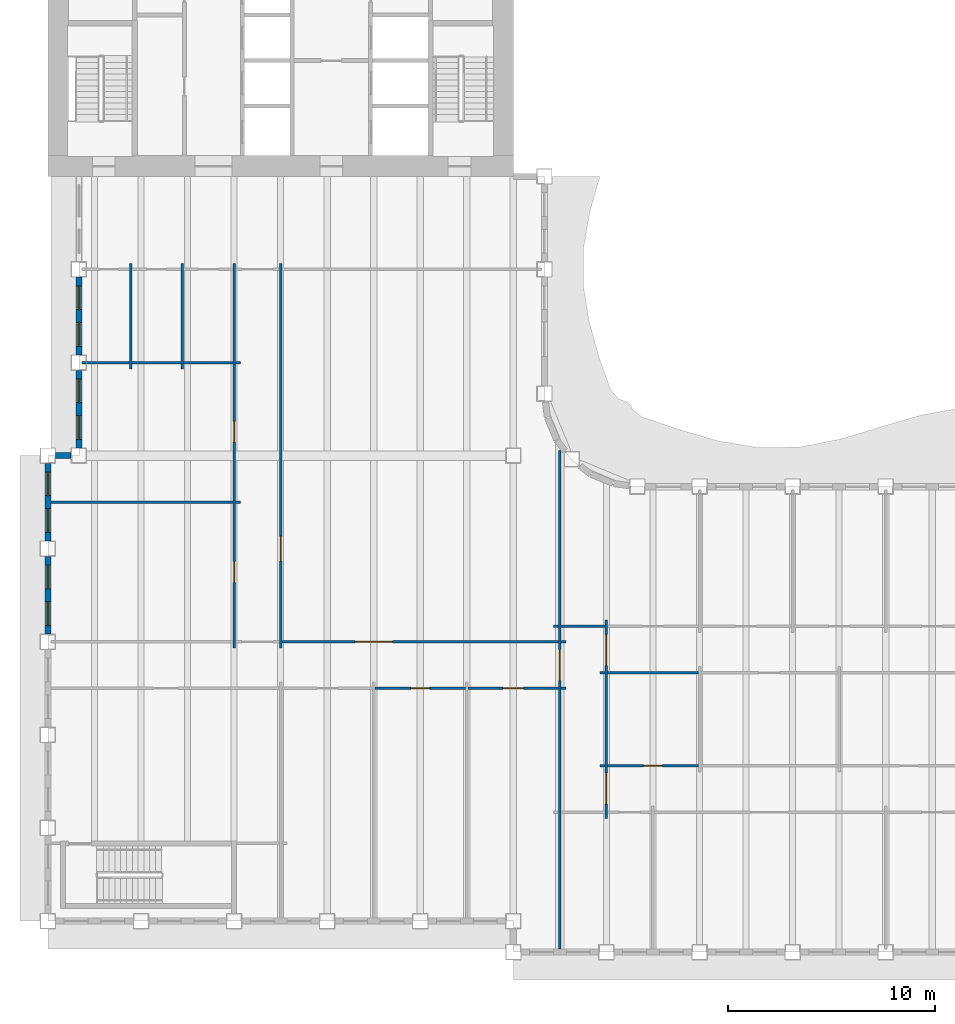
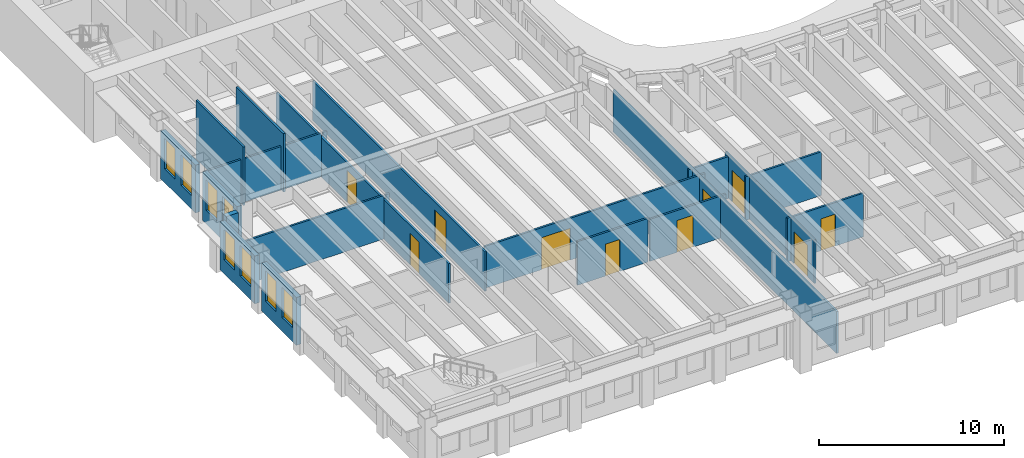
# One storey, part 4 of 16: 28 walls, 10 doors, 8 windows, 18 openings.
"""IFC4 building model written with IfcOpenShell, lengths in metres."""

from ifc_helpers import new_model, si_unit, direction, frame, frame_2d, origin, place, context, subcontext, project, spatial, rectangle, extrude, material, layer, layer_set, type_object, element, fill, save


model = new_model("IFC4")

# Units and contexts
model_context = context("Model", 3, precision=1e-05, world=origin(), true_north=direction((0.0, 1.0)))
body_context = subcontext(model_context, "Body", "Model", "MODEL_VIEW")
ifc_project = project(units=[si_unit("LENGTHUNIT", "METRE"), si_unit("AREAUNIT", "SQUARE_METRE"), si_unit("VOLUMEUNIT", "CUBIC_METRE"), si_unit("PLANEANGLEUNIT", "RADIAN"), si_unit("MASSUNIT", "GRAM", prefix="KILO")], contexts=[model_context])

# Site, building, storey
site_placement = place(None, origin())
site = spatial("IfcSite", under=ifc_project, at=site_placement, CompositionType="ELEMENT")
building_placement = place(site_placement, origin())
building = spatial("IfcBuilding", under=site, at=building_placement, Name="Sennacour Bend Tower", CompositionType="ELEMENT")
storey_placement = place(building_placement, frame((0.0, 0.0, 235.0)))
storey = spatial("IfcBuildingStorey", under=building, at=storey_placement, Name="L54", CompositionType="ELEMENT", Elevation=235.0)

# Walls
ifc_material_1 = material(Name="Plasterboard partition on steel studs", Category="steel")
ifc_layer_1 = layer(ifc_material_1, 0.1201171875, Name="Plasterboard partition on steel studs", Category="steel")
ifc_layer_set_1 = layer_set([ifc_layer_1], Name="Plasterboard partition on steel studs")
wall_type_1 = type_object("IfcWallType", Name="Partition 120", PredefinedType="PARTITIONING", material=ifc_layer_set_1)
for number, where, z_axis, x_axis, name in (
    (1, (4.0, 26.699951171875, 0.0), (0.0, 0.0, 1.0), (0.0, 1.0, 0.0), "P-L54-W004a"),
    (2, (6.5, 26.699951171875, 0.0), (0.0, 0.0, 1.0), (0.0, 1.0, 0.0), "P-L54-W007a"),
):
    element("IfcWall", number, at=place(storey_placement, frame(where, z_axis=z_axis, x_axis=x_axis)), inside=storey, type_object=wall_type_1, Name=name, PredefinedType="PARTITIONING", context=body_context, shape_type="SweptSolid", body=[
        extrude(rectangle(XDim=5.10009765625, YDim=0.1201171875, at=frame_2d((2.550048828125, 0.0))), origin(), (0.0, 0.0, 1.0), 3.85009765625),
    ])

# Wall, openings, doors
wall_1_placement = place(storey_placement, frame((9.0, 13.199951171875, 0.0), z_axis=(0.0, 0.0, 1.0), x_axis=(0.0, 1.0, 0.0)))
wall_1 = element("IfcWall", 3, at=wall_1_placement, inside=storey, type_object=wall_type_1, Name="P-L54-W010a", PredefinedType="PARTITIONING", context=body_context, shape_type="SweptSolid", body=[
    extrude(rectangle(XDim=18.60009765625, YDim=0.1201171875, at=frame_2d((9.300048828125, 0.0))), origin(), (0.0, 0.0, 1.0), 2.60009765625),
])
opening_1_placement = place(wall_1_placement, frame((3.175048828125, 0.0, 0.0)))
opening_1 = element("IfcOpeningElement", 4, at=opening_1_placement, cuts=wall_1, Name="Opening OD2", PredefinedType="OPENING", context=body_context, shape_type="SweptSolid", body=[
    extrude(rectangle(XDim=1.0, YDim=2.10009765625, at=frame_2d((0.5, 1.050048828125))), frame((0.0, 0.070068359375, 0.0), z_axis=(0.0, -1.0, 0.0), x_axis=(1.0, 0.0, 0.0)), (0.0, 0.0, 1.0), 0.14013671875),
])
opening_2_placement = place(wall_1_placement, frame((9.955078125, 0.0, 0.0)))
opening_2 = element("IfcOpeningElement", 5, at=opening_2_placement, cuts=wall_1, Name="Opening OD2", PredefinedType="OPENING", context=body_context, shape_type="SweptSolid", body=[
    extrude(rectangle(XDim=1.0, YDim=2.10009765625, at=frame_2d((0.5, 1.050048828125))), frame((0.0, 0.070068359375, 0.0), z_axis=(0.0, -1.0, 0.0), x_axis=(1.0, 0.0, 0.0)), (0.0, 0.0, 1.0), 0.14013671875),
])
ifc_material_2 = material(Name="Timber", Category="wood")
door_type_1 = type_object("IfcDoorType", Name="DR-OFFICE-1000", OperationType="NOTDEFINED", PredefinedType="DOOR", material=ifc_material_2)
door_1_placement = place(opening_1_placement, origin())
door_1 = element("IfcDoor", 6, at=door_1_placement, inside=storey, type_object=door_type_1, Name="Door", OperationType="SINGLE_SWING_LEFT", OverallHeight=2.10009765625, OverallWidth=1.0, PredefinedType="DOOR", context=body_context, shape_type="SweptSolid", body=[
    extrude(rectangle(XDim=1.0, YDim=2.10009765625, at=frame_2d((0.5, 1.050048828125))), frame((0.0, 0.02490234375, 0.0), z_axis=(0.0, -1.0, 0.0), x_axis=(1.0, 0.0, 0.0)), (0.0, 0.0, 1.0), 0.050048828125),
])
fill(opening_1, door_1)
door_2_placement = place(opening_2_placement, origin())
door_2 = element("IfcDoor", 7, at=door_2_placement, inside=storey, type_object=door_type_1, Name="Door", OperationType="SINGLE_SWING_RIGHT", OverallHeight=2.10009765625, OverallWidth=1.0, PredefinedType="DOOR", context=body_context, shape_type="SweptSolid", body=[
    extrude(rectangle(XDim=1.0, YDim=2.10009765625, at=frame_2d((0.5, 1.050048828125))), frame((0.0, 0.02490234375, 0.0), z_axis=(0.0, -1.0, 0.0), x_axis=(1.0, 0.0, 0.0)), (0.0, 0.0, 1.0), 0.050048828125),
])
fill(opening_2, door_2)

# Wall, opening, door
wall_2_placement = place(storey_placement, frame((11.25, 13.199951171875, 0.0), z_axis=(0.0, 0.0, 1.0), x_axis=(0.0, 1.0, 0.0)))
wall_2 = element("IfcWall", 8, at=wall_2_placement, inside=storey, type_object=wall_type_1, Name="P-L54-W013a", PredefinedType="PARTITIONING", context=body_context, shape_type="SweptSolid", body=[
    extrude(rectangle(XDim=18.60009765625, YDim=0.1201171875, at=frame_2d((9.300048828125, 0.0))), origin(), (0.0, 0.0, 1.0), 2.60009765625),
])
opening_3_placement = place(wall_2_placement, frame((4.199951171875, 0.0, 0.0)))
opening_3 = element("IfcOpeningElement", 9, at=opening_3_placement, cuts=wall_2, Name="Opening OD", PredefinedType="OPENING", context=body_context, shape_type="SweptSolid", body=[
    extrude(rectangle(XDim=1.199951171875, YDim=2.10009765625, at=frame_2d((0.60009765625, 1.050048828125))), frame((0.0, 0.070068359375, 0.0), z_axis=(0.0, -1.0, 0.0), x_axis=(1.0, 0.0, 0.0)), (0.0, 0.0, 1.0), 0.14013671875),
])
door_type_2 = type_object("IfcDoorType", Name="DR-OFFICE-1200", OperationType="NOTDEFINED", PredefinedType="DOOR", material=ifc_material_2)
door_3_placement = place(opening_3_placement, origin())
door_3 = element("IfcDoor", 10, at=door_3_placement, inside=storey, type_object=door_type_2, Name="Door", OperationType="SINGLE_SWING_LEFT", OverallHeight=2.10009765625, OverallWidth=1.199951171875, PredefinedType="DOOR", context=body_context, shape_type="SweptSolid", body=[
    extrude(rectangle(XDim=1.199951171875, YDim=2.10009765625, at=frame_2d((0.60009765625, 1.050048828125))), frame((0.0, 0.02490234375, 0.0), z_axis=(0.0, -1.0, 0.0), x_axis=(1.0, 0.0, 0.0)), (0.0, 0.0, 1.0), 0.050048828125),
])
fill(opening_3, door_3)

# Wall
wall_3_placement = place(storey_placement, frame((26.699951171875, 7.5, 0.0), z_axis=(0.0, 0.0, 1.0), x_axis=(1.0, 0.0, 0.0)))
element("IfcWall", 11, at=wall_3_placement, inside=storey, type_object=wall_type_1, Name="P-L54-W058aa", PredefinedType="PARTITIONING", context=body_context, shape_type="SweptSolid", body=[
    extrude(rectangle(XDim=0.239990234375, YDim=0.1201171875, at=frame_2d((0.1201171875, 0.0))), origin(), (0.0, 0.0, 1.0), 2.8701171875),
])

# Wall, opening, door
wall_4_placement = place(storey_placement, frame((20.31005859375, 11.25, 0.0), z_axis=(0.0, 0.0, 1.0), x_axis=(1.0, 0.0, 0.0)))
wall_4 = element("IfcWall", 12, at=wall_4_placement, inside=storey, type_object=wall_type_1, Name="P-L54-W062ad", PredefinedType="PARTITIONING", context=body_context, shape_type="SweptSolid", body=[
    extrude(rectangle(XDim=4.3798828125, YDim=0.1201171875, at=frame_2d((2.18994140625, 0.0))), origin(), (0.0, 0.0, 1.0), 2.760009765625),
])
opening_4_placement = place(wall_4_placement, frame((1.68994140625, 0.0, 0.0)))
opening_4 = element("IfcOpeningElement", 13, at=opening_4_placement, cuts=wall_4, Name="Opening OD2", PredefinedType="OPENING", context=body_context, shape_type="SweptSolid", body=[
    extrude(rectangle(XDim=1.0, YDim=2.10009765625, at=frame_2d((0.5, 1.050048828125))), frame((0.0, 0.070068359375, 0.0), z_axis=(0.0, -1.0, 0.0), x_axis=(1.0, 0.0, 0.0)), (0.0, 0.0, 1.0), 0.14013671875),
])
door_4_placement = place(opening_4_placement, origin())
door_4 = element("IfcDoor", 14, at=door_4_placement, inside=storey, type_object=door_type_1, Name="Door", OperationType="SINGLE_SWING_LEFT", OverallHeight=2.10009765625, OverallWidth=1.0, PredefinedType="DOOR", context=body_context, shape_type="SweptSolid", body=[
    extrude(rectangle(XDim=1.0, YDim=2.10009765625, at=frame_2d((0.5, 1.050048828125))), frame((0.0, 0.02490234375, 0.0), z_axis=(0.0, -1.0, 0.0), x_axis=(1.0, 0.0, 0.0)), (0.0, 0.0, 1.0), 0.050048828125),
])
fill(opening_4, door_4)

# Walls
wall_5_placement = place(storey_placement, frame((24.81005859375, 11.25, 0.0), z_axis=(0.0, 0.0, 1.0), x_axis=(1.0, 0.0, 0.0)))
element("IfcWall", 15, at=wall_5_placement, inside=storey, type_object=wall_type_1, Name="P-L54-W062ae", PredefinedType="PARTITIONING", context=body_context, shape_type="SweptSolid", body=[
    extrude(rectangle(XDim=0.239990234375, YDim=0.1201171875, at=frame_2d((0.1201171875, 0.0))), origin(), (0.0, 0.0, 1.0), 2.760009765625),
])
wall_6_placement = place(storey_placement, frame((26.699951171875, 12.0, 0.0), z_axis=(0.0, 0.0, 1.0), x_axis=(1.0, 0.0, 0.0)))
element("IfcWall", 16, at=wall_6_placement, inside=storey, type_object=wall_type_1, Name="P-L54-W064aa", PredefinedType="PARTITIONING", context=body_context, shape_type="SweptSolid", body=[
    extrude(rectangle(XDim=0.239990234375, YDim=0.1201171875, at=frame_2d((0.1201171875, 0.0))), origin(), (0.0, 0.0, 1.0), 2.8701171875),
])
wall_7_placement = place(storey_placement, frame((27.06005859375, 12.0, 0.0), z_axis=(0.0, 0.0, 1.0), x_axis=(1.0, 0.0, 0.0)))
element("IfcWall", 17, at=wall_7_placement, inside=storey, type_object=wall_type_1, Name="P-L54-W064ab", PredefinedType="PARTITIONING", context=body_context, shape_type="SweptSolid", body=[
    extrude(rectangle(XDim=4.3798828125, YDim=0.1201171875, at=frame_2d((2.18994140625, 0.0))), origin(), (0.0, 0.0, 1.0), 2.8701171875),
])

# Wall, opening, door
wall_8_placement = place(storey_placement, frame((11.31005859375, 13.5, 0.0), z_axis=(0.0, 0.0, 1.0), x_axis=(1.0, 0.0, 0.0)))
wall_8 = element("IfcWall", 18, at=wall_8_placement, inside=storey, type_object=wall_type_1, Name="P-L54-W065ac", PredefinedType="PARTITIONING", context=body_context, shape_type="SweptSolid", body=[
    extrude(rectangle(XDim=13.3798828125, YDim=0.1201171875, at=frame_2d((6.68994140625, 0.0))), origin(), (0.0, 0.0, 1.0), 2.760009765625),
])
opening_5_placement = place(wall_8_placement, frame((3.539794921875, 0.0, 0.0)))
opening_5 = element("IfcOpeningElement", 19, at=opening_5_placement, cuts=wall_8, Name="Opening OD3", PredefinedType="OPENING", context=body_context, shape_type="SweptSolid", body=[
    extrude(rectangle(XDim=1.800048828125, YDim=2.10009765625, at=frame_2d((0.89990234375, 1.050048828125))), frame((0.0, 0.070068359375, 0.0), z_axis=(0.0, -1.0, 0.0), x_axis=(1.0, 0.0, 0.0)), (0.0, 0.0, 1.0), 0.14013671875),
])
door_type_3 = type_object("IfcDoorType", Name="DR-OFFICE-1800", OperationType="NOTDEFINED", PredefinedType="DOOR", material=ifc_material_2)
door_5_placement = place(opening_5_placement, origin())
door_5 = element("IfcDoor", 20, at=door_5_placement, inside=storey, type_object=door_type_3, Name="Door", OperationType="DOUBLE_DOOR_SINGLE_SWING", OverallHeight=2.10009765625, OverallWidth=1.800048828125, PredefinedType="DOOR", context=body_context, shape_type="SweptSolid", body=[
    extrude(rectangle(XDim=1.800048828125, YDim=2.10009765625, at=frame_2d((0.89990234375, 1.050048828125))), frame((0.0, 0.02490234375, 0.0), z_axis=(0.0, -1.0, 0.0), x_axis=(1.0, 0.0, 0.0)), (0.0, 0.0, 1.0), 0.050048828125),
])
fill(opening_5, door_5)

# Walls
for number, where, z_axis, x_axis, name in (
    (21, (24.81005859375, 13.5, 0.0), (0.0, 0.0, 1.0), (1.0, 0.0, 0.0), "P-L54-W065ad"),
    (22, (24.449951171875, 14.25, 0.0), (0.0, 0.0, 1.0), (1.0, 0.0, 0.0), "P-L54-W066aa"),
):
    element("IfcWall", number, at=place(storey_placement, frame(where, z_axis=z_axis, x_axis=x_axis)), inside=storey, type_object=wall_type_1, Name=name, PredefinedType="PARTITIONING", context=body_context, shape_type="SweptSolid", body=[
        extrude(rectangle(XDim=0.239990234375, YDim=0.1201171875, at=frame_2d((0.1201171875, 0.0))), origin(), (0.0, 0.0, 1.0), 2.760009765625),
    ])
wall_9_placement = place(storey_placement, frame((24.81005859375, 14.25, 0.0), z_axis=(0.0, 0.0, 1.0), x_axis=(1.0, 0.0, 0.0)))
element("IfcWall", 23, at=wall_9_placement, inside=storey, type_object=wall_type_1, Name="P-L54-W066ab", PredefinedType="PARTITIONING", context=body_context, shape_type="SweptSolid", body=[
    extrude(rectangle(XDim=2.1298828125, YDim=0.1201171875, at=frame_2d((1.06494140625, 0.0))), origin(), (0.0, 0.0, 1.0), 2.760009765625),
])
wall_10_placement = place(storey_placement, frame((0.14990234375, 20.25, 0.0), z_axis=(0.0, 0.0, 1.0), x_axis=(1.0, 0.0, 0.0)))
element("IfcWall", 24, at=wall_10_placement, inside=storey, type_object=wall_type_1, Name="P-L54-W072aa", PredefinedType="PARTITIONING", context=body_context, shape_type="SweptSolid", body=[
    extrude(rectangle(XDim=8.7900390625, YDim=0.1201171875, at=frame_2d((4.39501953125, 0.0))), origin(), (0.0, 0.0, 1.0), 2.8701171875),
])
wall_11_placement = place(storey_placement, frame((9.06005859375, 20.25, 0.0), z_axis=(0.0, 0.0, 1.0), x_axis=(1.0, 0.0, 0.0)))
element("IfcWall", 25, at=wall_11_placement, inside=storey, type_object=wall_type_1, Name="P-L54-W072ab", PredefinedType="PARTITIONING", context=body_context, shape_type="SweptSolid", body=[
    extrude(rectangle(XDim=0.239990234375, YDim=0.1201171875, at=frame_2d((0.1201171875, 0.0))), origin(), (0.0, 0.0, 1.0), 2.8701171875),
])
wall_12_placement = place(storey_placement, frame((1.64990234375, 27.0, 0.0), z_axis=(0.0, 0.0, 1.0), x_axis=(1.0, 0.0, 0.0)))
element("IfcWall", 26, at=wall_12_placement, inside=storey, type_object=wall_type_1, Name="P-L54-W075aa", PredefinedType="PARTITIONING", context=body_context, shape_type="SweptSolid", body=[
    extrude(rectangle(XDim=2.2900390625, YDim=0.1201171875, at=frame_2d((1.14501953125, 0.0))), origin(), (0.0, 0.0, 1.0), 2.8701171875),
])
for number, where, z_axis, x_axis, name in (
    (27, (4.06005859375, 27.0, 0.0), (0.0, 0.0, 1.0), (1.0, 0.0, 0.0), "P-L54-W075ab"),
    (28, (6.56005859375, 27.0, 0.0), (0.0, 0.0, 1.0), (1.0, 0.0, 0.0), "P-L54-W075ac"),
):
    element("IfcWall", number, at=place(storey_placement, frame(where, z_axis=z_axis, x_axis=x_axis)), inside=storey, type_object=wall_type_1, Name=name, PredefinedType="PARTITIONING", context=body_context, shape_type="SweptSolid", body=[
        extrude(rectangle(XDim=2.3798828125, YDim=0.1201171875, at=frame_2d((1.18994140625, 0.0))), origin(), (0.0, 0.0, 1.0), 2.8701171875),
    ])
wall_13_placement = place(storey_placement, frame((9.06005859375, 27.0, 0.0), z_axis=(0.0, 0.0, 1.0), x_axis=(1.0, 0.0, 0.0)))
element("IfcWall", 29, at=wall_13_placement, inside=storey, type_object=wall_type_1, Name="P-L54-W075ad", PredefinedType="PARTITIONING", context=body_context, shape_type="SweptSolid", body=[
    extrude(rectangle(XDim=0.239990234375, YDim=0.1201171875, at=frame_2d((0.1201171875, 0.0))), origin(), (0.0, 0.0, 1.0), 2.8701171875),
])

# Wall, opening, door
ifc_layer_2 = layer(ifc_material_1, 0.1201171875, Name="Plasterboard partition on steel studs", Category="steel")
ifc_layer_set_2 = layer_set([ifc_layer_2], Name="Plasterboard partition on steel studs")
wall_type_2 = type_object("IfcWallType", Name="Partition 120 EI 30", PredefinedType="PARTITIONING", material=ifc_layer_set_2)
wall_14_placement = place(storey_placement, frame((24.75, -1.35009765625, 0.0), z_axis=(0.0, 0.0, 1.0), x_axis=(0.0, 1.0, 0.0)))
wall_14 = element("IfcWall", 30, at=wall_14_placement, inside=storey, type_object=wall_type_2, Name="P-L54-W023a", PredefinedType="PARTITIONING", context=body_context, shape_type="SweptSolid", body=[
    extrude(rectangle(XDim=24.1005859375, YDim=0.1201171875, at=frame_2d((12.05029296875, 0.0))), origin(), (0.0, 0.0, 1.0), 2.760009765625),
])
opening_6_placement = place(wall_14_placement, frame((12.97509765625, 0.0, 0.0)))
opening_6 = element("IfcOpeningElement", 31, at=opening_6_placement, cuts=wall_14, Name="Opening KD", PredefinedType="OPENING", context=body_context, shape_type="SweptSolid", body=[
    extrude(rectangle(XDim=1.5, YDim=2.10009765625, at=frame_2d((0.75, 1.050048828125))), frame((0.0, 0.070068359375, 0.0), z_axis=(0.0, -1.0, 0.0), x_axis=(1.0, 0.0, 0.0)), (0.0, 0.0, 1.0), 0.14013671875),
])
ifc_material_3 = material(Name="Painted steel", Category="steel")
door_type_4 = type_object("IfcDoorType", Name="DR-CORRIDOR-1500", OperationType="NOTDEFINED", PredefinedType="DOOR", material=ifc_material_3)
door_6_placement = place(opening_6_placement, origin())
door_6 = element("IfcDoor", 32, at=door_6_placement, inside=storey, type_object=door_type_4, Name="Door", OperationType="SINGLE_SWING_RIGHT", OverallHeight=2.10009765625, OverallWidth=1.5, PredefinedType="DOOR", context=body_context, shape_type="SweptSolid", body=[
    extrude(rectangle(XDim=1.5, YDim=2.10009765625, at=frame_2d((0.75, 1.050048828125))), frame((0.0, 0.02490234375, 0.0), z_axis=(0.0, -1.0, 0.0), x_axis=(1.0, 0.0, 0.0)), (0.0, 0.0, 1.0), 0.050048828125),
])
fill(opening_6, door_6)

# Wall, openings, doors
wall_15_placement = place(storey_placement, frame((27.0, 4.949951171875, 0.0), z_axis=(0.0, 0.0, 1.0), x_axis=(0.0, 1.0, 0.0)))
wall_15 = element("IfcWall", 33, at=wall_15_placement, inside=storey, type_object=wall_type_2, Name="P-L54-W024a", PredefinedType="PARTITIONING", context=body_context, shape_type="SweptSolid", body=[
    extrude(rectangle(XDim=9.60009765625, YDim=0.1201171875, at=frame_2d((4.800048828125, 0.0))), origin(), (0.0, 0.0, 1.0), 2.8701171875),
])
opening_7_placement = place(wall_15_placement, frame((0.705078125, 0.0, 0.0)))
opening_7 = element("IfcOpeningElement", 34, at=opening_7_placement, cuts=wall_15, Name="Opening KD", PredefinedType="OPENING", context=body_context, shape_type="SweptSolid", body=[
    extrude(rectangle(XDim=1.5, YDim=2.10009765625, at=frame_2d((0.75, 1.050048828125))), frame((0.0, 0.070068359375, 0.0), z_axis=(0.0, -1.0, 0.0), x_axis=(1.0, 0.0, 0.0)), (0.0, 0.0, 1.0), 0.14013671875),
])
opening_8_placement = place(wall_15_placement, frame((7.39501953125, 0.0, 0.0)))
opening_8 = element("IfcOpeningElement", 35, at=opening_8_placement, cuts=wall_15, Name="Opening KD", PredefinedType="OPENING", context=body_context, shape_type="SweptSolid", body=[
    extrude(rectangle(XDim=1.5, YDim=2.10009765625, at=frame_2d((0.75, 1.050048828125))), frame((0.0, 0.070068359375, 0.0), z_axis=(0.0, -1.0, 0.0), x_axis=(1.0, 0.0, 0.0)), (0.0, 0.0, 1.0), 0.14013671875),
])
door_7_placement = place(opening_7_placement, origin())
door_7 = element("IfcDoor", 36, at=door_7_placement, inside=storey, type_object=door_type_4, Name="Door", OperationType="SINGLE_SWING_LEFT", OverallHeight=2.10009765625, OverallWidth=1.5, PredefinedType="DOOR", context=body_context, shape_type="SweptSolid", body=[
    extrude(rectangle(XDim=1.5, YDim=2.10009765625, at=frame_2d((0.75, 1.050048828125))), frame((0.0, 0.02490234375, 0.0), z_axis=(0.0, -1.0, 0.0), x_axis=(1.0, 0.0, 0.0)), (0.0, 0.0, 1.0), 0.050048828125),
])
fill(opening_7, door_7)
door_8_placement = place(opening_8_placement, origin())
door_8 = element("IfcDoor", 37, at=door_8_placement, inside=storey, type_object=door_type_4, Name="Door", OperationType="SINGLE_SWING_RIGHT", OverallHeight=2.10009765625, OverallWidth=1.5, PredefinedType="DOOR", context=body_context, shape_type="SweptSolid", body=[
    extrude(rectangle(XDim=1.5, YDim=2.10009765625, at=frame_2d((0.75, 1.050048828125))), frame((0.0, 0.02490234375, 0.0), z_axis=(0.0, -1.0, 0.0), x_axis=(1.0, 0.0, 0.0)), (0.0, 0.0, 1.0), 0.050048828125),
])
fill(opening_8, door_8)

# Wall, opening, door
ifc_layer_3 = layer(ifc_material_1, 0.1201171875, Name="Plasterboard partition on steel studs", Category="steel")
ifc_layer_set_3 = layer_set([ifc_layer_3], Name="Plasterboard partition on steel studs")
wall_type_3 = type_object("IfcWallType", Name="Partition 120 EI 60", PredefinedType="PARTITIONING", material=ifc_layer_set_3)
wall_16_placement = place(storey_placement, frame((27.06005859375, 7.5, 0.0), z_axis=(0.0, 0.0, 1.0), x_axis=(1.0, 0.0, 0.0)))
wall_16 = element("IfcWall", 38, at=wall_16_placement, inside=storey, type_object=wall_type_3, Name="P-L54-W058ab", PredefinedType="PARTITIONING", context=body_context, shape_type="SweptSolid", body=[
    extrude(rectangle(XDim=4.3798828125, YDim=0.1201171875, at=frame_2d((2.18994140625, 0.0))), origin(), (0.0, 0.0, 1.0), 2.8701171875),
])
opening_9_placement = place(wall_16_placement, frame((1.739990234375, 0.0, 0.0)))
opening_9 = element("IfcOpeningElement", 39, at=opening_9_placement, cuts=wall_16, Name="Opening SV", PredefinedType="OPENING", context=body_context, shape_type="SweptSolid", body=[
    extrude(rectangle(XDim=0.89990234375, YDim=2.10009765625, at=frame_2d((0.449951171875, 1.050048828125))), frame((0.0, 0.070068359375, 0.0), z_axis=(0.0, -1.0, 0.0), x_axis=(1.0, 0.0, 0.0)), (0.0, 0.0, 1.0), 0.14013671875),
])
door_type_5 = type_object("IfcDoorType", Name="DR-SERVICE-900", OperationType="NOTDEFINED", PredefinedType="DOOR", material=ifc_material_3)
door_9_placement = place(opening_9_placement, origin())
door_9 = element("IfcDoor", 40, at=door_9_placement, inside=storey, type_object=door_type_5, Name="Door", OperationType="SINGLE_SWING_LEFT", OverallHeight=2.10009765625, OverallWidth=0.89990234375, PredefinedType="DOOR", context=body_context, shape_type="SweptSolid", body=[
    extrude(rectangle(XDim=0.89990234375, YDim=2.10009765625, at=frame_2d((0.449951171875, 1.050048828125))), frame((0.0, 0.02490234375, 0.0), z_axis=(0.0, -1.0, 0.0), x_axis=(1.0, 0.0, 0.0)), (0.0, 0.0, 1.0), 0.050048828125),
])
fill(opening_9, door_9)

wall_17_placement = place(storey_placement, frame((15.81005859375, 11.25, 0.0), z_axis=(0.0, 0.0, 1.0), x_axis=(1.0, 0.0, 0.0)))
wall_17 = element("IfcWall", 41, at=wall_17_placement, inside=storey, type_object=wall_type_3, Name="P-L54-W062ac", PredefinedType="PARTITIONING", context=body_context, shape_type="SweptSolid", body=[
    extrude(rectangle(XDim=4.3798828125, YDim=0.1201171875, at=frame_2d((2.18994140625, 0.0))), origin(), (0.0, 0.0, 1.0), 2.8701171875),
])
opening_10_placement = place(wall_17_placement, frame((1.739990234375, 0.0, 0.0)))
opening_10 = element("IfcOpeningElement", 42, at=opening_10_placement, cuts=wall_17, Name="Opening SV", PredefinedType="OPENING", context=body_context, shape_type="SweptSolid", body=[
    extrude(rectangle(XDim=0.89990234375, YDim=2.10009765625, at=frame_2d((0.449951171875, 1.050048828125))), frame((0.0, 0.070068359375, 0.0), z_axis=(0.0, -1.0, 0.0), x_axis=(1.0, 0.0, 0.0)), (0.0, 0.0, 1.0), 0.14013671875),
])
door_10_placement = place(opening_10_placement, origin())
door_10 = element("IfcDoor", 43, at=door_10_placement, inside=storey, type_object=door_type_5, Name="Door", OperationType="SINGLE_SWING_LEFT", OverallHeight=2.10009765625, OverallWidth=0.89990234375, PredefinedType="DOOR", context=body_context, shape_type="SweptSolid", body=[
    extrude(rectangle(XDim=0.89990234375, YDim=2.10009765625, at=frame_2d((0.449951171875, 1.050048828125))), frame((0.0, 0.02490234375, 0.0), z_axis=(0.0, -1.0, 0.0), x_axis=(1.0, 0.0, 0.0)), (0.0, 0.0, 1.0), 0.050048828125),
])
fill(opening_10, door_10)

# Wall, openings, windows
ifc_material_4 = material(Name="Warm limestone cladding", Category="masonry")
ifc_layer_4 = layer(ifc_material_4, 0.050048828125, Name="Warm limestone cladding", Category="masonry")
ifc_material_5 = material(Name="Precast concrete C40/50", Category="concrete")
ifc_layer_5 = layer(ifc_material_5, 0.25, Name="Precast concrete C40/50", Category="concrete")
ifc_layer_set_4 = layer_set([ifc_layer_4, ifc_layer_5], Name="Precast concrete C40/50 with limestone cladding")
wall_type_4 = type_object("IfcWallType", Name="STONE-CLAD PRECAST SPANDREL 300", PredefinedType="STANDARD", material=ifc_layer_set_4)
wall_18_placement = place(storey_placement, frame((1.5, 31.125, 0.0), z_axis=(0.0, 0.0, 1.0), x_axis=(0.0, -1.0, 0.0)))
wall_18 = element("IfcWall", 44, at=wall_18_placement, inside=storey, type_object=wall_type_4, Name="Stone spandrel and pier wall L54 19.01", PredefinedType="STANDARD", context=body_context, shape_type="SweptSolid", body=[
    extrude(rectangle(XDim=3.75, YDim=0.300048828125, at=frame_2d((1.875, 0.0))), origin(), (0.0, 0.0, 1.0), 3.156982421875),
])
opening_11_placement = place(wall_18_placement, frame((0.41259765625, 0.0, 0.89990234375)))
opening_11 = element("IfcOpeningElement", 45, at=opening_11_placement, cuts=wall_18, Name="Opening W24", PredefinedType="OPENING", context=body_context, shape_type="SweptSolid", body=[
    extrude(rectangle(XDim=1.14990234375, YDim=2.0, at=frame_2d((0.574951171875, 1.0))), frame((0.0, 0.16015625, 0.0), z_axis=(0.0, -1.0, 0.0), x_axis=(1.0, 0.0, 0.0)), (0.0, 0.0, 1.0), 0.320068359375),
])
opening_12_placement = place(wall_18_placement, frame((2.1875, 0.0, 0.89990234375)))
opening_12 = element("IfcOpeningElement", 46, at=opening_12_placement, cuts=wall_18, Name="Opening W24", PredefinedType="OPENING", context=body_context, shape_type="SweptSolid", body=[
    extrude(rectangle(XDim=1.14990234375, YDim=2.0, at=frame_2d((0.574951171875, 1.0))), frame((0.0, 0.16015625, 0.0), z_axis=(0.0, -1.0, 0.0), x_axis=(1.0, 0.0, 0.0)), (0.0, 0.0, 1.0), 0.320068359375),
])
ifc_material_6 = material(Name="Clear low-emissivity glass", Category="glass")
window_type = type_object("IfcWindowType", Name="WIN-RIBBON-1150x2000", PartitioningType="SINGLE_PANEL", PredefinedType="WINDOW", material=ifc_material_6)
window_1_placement = place(opening_11_placement, origin())
window_1 = element("IfcWindow", 47, at=window_1_placement, inside=storey, type_object=window_type, Name="Ribbon window L54 19.01.0", OverallHeight=2.0, OverallWidth=1.14990234375, PartitioningType="SINGLE_PANEL", PredefinedType="WINDOW", context=body_context, shape_type="SweptSolid", body=[
    extrude(rectangle(XDim=1.14990234375, YDim=2.0, at=frame_2d((0.574951171875, 1.0))), frame((0.0, 0.030029296875, 0.0), z_axis=(0.0, -1.0, 0.0), x_axis=(1.0, 0.0, 0.0)), (0.0, 0.0, 1.0), 0.06005859375),
])
fill(opening_11, window_1)
window_2_placement = place(opening_12_placement, origin())
window_2 = element("IfcWindow", 48, at=window_2_placement, inside=storey, type_object=window_type, Name="Ribbon window L54 19.01.1", OverallHeight=2.0, OverallWidth=1.14990234375, PartitioningType="SINGLE_PANEL", PredefinedType="WINDOW", context=body_context, shape_type="SweptSolid", body=[
    extrude(rectangle(XDim=1.14990234375, YDim=2.0, at=frame_2d((0.574951171875, 1.0))), frame((0.0, 0.030029296875, 0.0), z_axis=(0.0, -1.0, 0.0), x_axis=(1.0, 0.0, 0.0)), (0.0, 0.0, 1.0), 0.06005859375),
])
fill(opening_12, window_2)

wall_19_placement = place(storey_placement, frame((1.5, 26.625, 0.0), z_axis=(0.0, 0.0, 1.0), x_axis=(0.0, -1.0, 0.0)))
wall_19 = element("IfcWall", 49, at=wall_19_placement, inside=storey, type_object=wall_type_4, Name="Stone spandrel and pier wall L54 19.02", PredefinedType="STANDARD", context=body_context, shape_type="SweptSolid", body=[
    extrude(rectangle(XDim=3.75, YDim=0.300048828125, at=frame_2d((1.875, 0.0))), origin(), (0.0, 0.0, 1.0), 3.156982421875),
])
opening_13_placement = place(wall_19_placement, frame((0.41259765625, 0.0, 0.89990234375)))
opening_13 = element("IfcOpeningElement", 50, at=opening_13_placement, cuts=wall_19, Name="Opening W24", PredefinedType="OPENING", context=body_context, shape_type="SweptSolid", body=[
    extrude(rectangle(XDim=1.14990234375, YDim=2.0, at=frame_2d((0.574951171875, 1.0))), frame((0.0, 0.16015625, 0.0), z_axis=(0.0, -1.0, 0.0), x_axis=(1.0, 0.0, 0.0)), (0.0, 0.0, 1.0), 0.320068359375),
])
opening_14_placement = place(wall_19_placement, frame((2.1875, 0.0, 0.89990234375)))
opening_14 = element("IfcOpeningElement", 51, at=opening_14_placement, cuts=wall_19, Name="Opening W24", PredefinedType="OPENING", context=body_context, shape_type="SweptSolid", body=[
    extrude(rectangle(XDim=1.14990234375, YDim=2.0, at=frame_2d((0.574951171875, 1.0))), frame((0.0, 0.16015625, 0.0), z_axis=(0.0, -1.0, 0.0), x_axis=(1.0, 0.0, 0.0)), (0.0, 0.0, 1.0), 0.320068359375),
])
window_3_placement = place(opening_13_placement, origin())
window_3 = element("IfcWindow", 52, at=window_3_placement, inside=storey, type_object=window_type, Name="Ribbon window L54 19.02.0", OverallHeight=2.0, OverallWidth=1.14990234375, PartitioningType="SINGLE_PANEL", PredefinedType="WINDOW", context=body_context, shape_type="SweptSolid", body=[
    extrude(rectangle(XDim=1.14990234375, YDim=2.0, at=frame_2d((0.574951171875, 1.0))), frame((0.0, 0.030029296875, 0.0), z_axis=(0.0, -1.0, 0.0), x_axis=(1.0, 0.0, 0.0)), (0.0, 0.0, 1.0), 0.06005859375),
])
fill(opening_13, window_3)
window_4_placement = place(opening_14_placement, origin())
window_4 = element("IfcWindow", 53, at=window_4_placement, inside=storey, type_object=window_type, Name="Ribbon window L54 19.02.1", OverallHeight=2.0, OverallWidth=1.14990234375, PartitioningType="SINGLE_PANEL", PredefinedType="WINDOW", context=body_context, shape_type="SweptSolid", body=[
    extrude(rectangle(XDim=1.14990234375, YDim=2.0, at=frame_2d((0.574951171875, 1.0))), frame((0.0, 0.030029296875, 0.0), z_axis=(0.0, -1.0, 0.0), x_axis=(1.0, 0.0, 0.0)), (0.0, 0.0, 1.0), 0.06005859375),
])
fill(opening_14, window_4)

# Wall
wall_20_placement = place(storey_placement, frame((1.125, 22.5, 0.0), z_axis=(0.0, 0.0, 1.0), x_axis=(-1.0, 0.0, 0.0)))
element("IfcWall", 54, at=wall_20_placement, inside=storey, type_object=wall_type_4, Name="Stone spandrel and pier wall L54 20.00", PredefinedType="STANDARD", context=body_context, shape_type="SweptSolid", body=[
    extrude(rectangle(XDim=0.75, YDim=0.300048828125, at=frame_2d((0.375, 0.0))), origin(), (0.0, 0.0, 1.0), 3.156982421875),
])

# Wall, openings, windows
wall_21_placement = place(storey_placement, frame((0.0, 22.125, 0.0), z_axis=(0.0, 0.0, 1.0), x_axis=(0.0, -1.0, 0.0)))
wall_21 = element("IfcWall", 55, at=wall_21_placement, inside=storey, type_object=wall_type_4, Name="Stone spandrel and pier wall L54 21.00", PredefinedType="STANDARD", context=body_context, shape_type="SweptSolid", body=[
    extrude(rectangle(XDim=3.75, YDim=0.300048828125, at=frame_2d((1.875, 0.0))), origin(), (0.0, 0.0, 1.0), 3.156982421875),
])
opening_15_placement = place(wall_21_placement, frame((0.41259765625, 0.0, 0.89990234375)))
opening_15 = element("IfcOpeningElement", 56, at=opening_15_placement, cuts=wall_21, Name="Opening W24", PredefinedType="OPENING", context=body_context, shape_type="SweptSolid", body=[
    extrude(rectangle(XDim=1.14990234375, YDim=2.0, at=frame_2d((0.574951171875, 1.0))), frame((0.0, 0.16015625, 0.0), z_axis=(0.0, -1.0, 0.0), x_axis=(1.0, 0.0, 0.0)), (0.0, 0.0, 1.0), 0.320068359375),
])
opening_16_placement = place(wall_21_placement, frame((2.1875, 0.0, 0.89990234375)))
opening_16 = element("IfcOpeningElement", 57, at=opening_16_placement, cuts=wall_21, Name="Opening W24", PredefinedType="OPENING", context=body_context, shape_type="SweptSolid", body=[
    extrude(rectangle(XDim=1.14990234375, YDim=2.0, at=frame_2d((0.574951171875, 1.0))), frame((0.0, 0.16015625, 0.0), z_axis=(0.0, -1.0, 0.0), x_axis=(1.0, 0.0, 0.0)), (0.0, 0.0, 1.0), 0.320068359375),
])
window_5_placement = place(opening_15_placement, origin())
window_5 = element("IfcWindow", 58, at=window_5_placement, inside=storey, type_object=window_type, Name="Ribbon window L54 21.00.0", OverallHeight=2.0, OverallWidth=1.14990234375, PartitioningType="SINGLE_PANEL", PredefinedType="WINDOW", context=body_context, shape_type="SweptSolid", body=[
    extrude(rectangle(XDim=1.14990234375, YDim=2.0, at=frame_2d((0.574951171875, 1.0))), frame((0.0, 0.030029296875, 0.0), z_axis=(0.0, -1.0, 0.0), x_axis=(1.0, 0.0, 0.0)), (0.0, 0.0, 1.0), 0.06005859375),
])
fill(opening_15, window_5)
window_6_placement = place(opening_16_placement, origin())
window_6 = element("IfcWindow", 59, at=window_6_placement, inside=storey, type_object=window_type, Name="Ribbon window L54 21.00.1", OverallHeight=2.0, OverallWidth=1.14990234375, PartitioningType="SINGLE_PANEL", PredefinedType="WINDOW", context=body_context, shape_type="SweptSolid", body=[
    extrude(rectangle(XDim=1.14990234375, YDim=2.0, at=frame_2d((0.574951171875, 1.0))), frame((0.0, 0.030029296875, 0.0), z_axis=(0.0, -1.0, 0.0), x_axis=(1.0, 0.0, 0.0)), (0.0, 0.0, 1.0), 0.06005859375),
])
fill(opening_16, window_6)

wall_22_placement = place(storey_placement, frame((0.0, 17.625, 0.0), z_axis=(0.0, 0.0, 1.0), x_axis=(0.0, -1.0, 0.0)))
wall_22 = element("IfcWall", 60, at=wall_22_placement, inside=storey, type_object=wall_type_4, Name="Stone spandrel and pier wall L54 21.01", PredefinedType="STANDARD", context=body_context, shape_type="SweptSolid", body=[
    extrude(rectangle(XDim=3.75, YDim=0.300048828125, at=frame_2d((1.875, 0.0))), origin(), (0.0, 0.0, 1.0), 3.156982421875),
])
opening_17_placement = place(wall_22_placement, frame((0.41259765625, 0.0, 0.89990234375)))
opening_17 = element("IfcOpeningElement", 61, at=opening_17_placement, cuts=wall_22, Name="Opening W24", PredefinedType="OPENING", context=body_context, shape_type="SweptSolid", body=[
    extrude(rectangle(XDim=1.14990234375, YDim=2.0, at=frame_2d((0.574951171875, 1.0))), frame((0.0, 0.16015625, 0.0), z_axis=(0.0, -1.0, 0.0), x_axis=(1.0, 0.0, 0.0)), (0.0, 0.0, 1.0), 0.320068359375),
])
opening_18_placement = place(wall_22_placement, frame((2.1875, 0.0, 0.89990234375)))
opening_18 = element("IfcOpeningElement", 62, at=opening_18_placement, cuts=wall_22, Name="Opening W24", PredefinedType="OPENING", context=body_context, shape_type="SweptSolid", body=[
    extrude(rectangle(XDim=1.14990234375, YDim=2.0, at=frame_2d((0.574951171875, 1.0))), frame((0.0, 0.16015625, 0.0), z_axis=(0.0, -1.0, 0.0), x_axis=(1.0, 0.0, 0.0)), (0.0, 0.0, 1.0), 0.320068359375),
])
window_7_placement = place(opening_17_placement, origin())
window_7 = element("IfcWindow", 63, at=window_7_placement, inside=storey, type_object=window_type, Name="Ribbon window L54 21.01.0", OverallHeight=2.0, OverallWidth=1.14990234375, PartitioningType="SINGLE_PANEL", PredefinedType="WINDOW", context=body_context, shape_type="SweptSolid", body=[
    extrude(rectangle(XDim=1.14990234375, YDim=2.0, at=frame_2d((0.574951171875, 1.0))), frame((0.0, 0.030029296875, 0.0), z_axis=(0.0, -1.0, 0.0), x_axis=(1.0, 0.0, 0.0)), (0.0, 0.0, 1.0), 0.06005859375),
])
fill(opening_17, window_7)
window_8_placement = place(opening_18_placement, origin())
window_8 = element("IfcWindow", 64, at=window_8_placement, inside=storey, type_object=window_type, Name="Ribbon window L54 21.01.1", OverallHeight=2.0, OverallWidth=1.14990234375, PartitioningType="SINGLE_PANEL", PredefinedType="WINDOW", context=body_context, shape_type="SweptSolid", body=[
    extrude(rectangle(XDim=1.14990234375, YDim=2.0, at=frame_2d((0.574951171875, 1.0))), frame((0.0, 0.030029296875, 0.0), z_axis=(0.0, -1.0, 0.0), x_axis=(1.0, 0.0, 0.0)), (0.0, 0.0, 1.0), 0.06005859375),
])
fill(opening_18, window_8)

save(model, "model.ifc")
